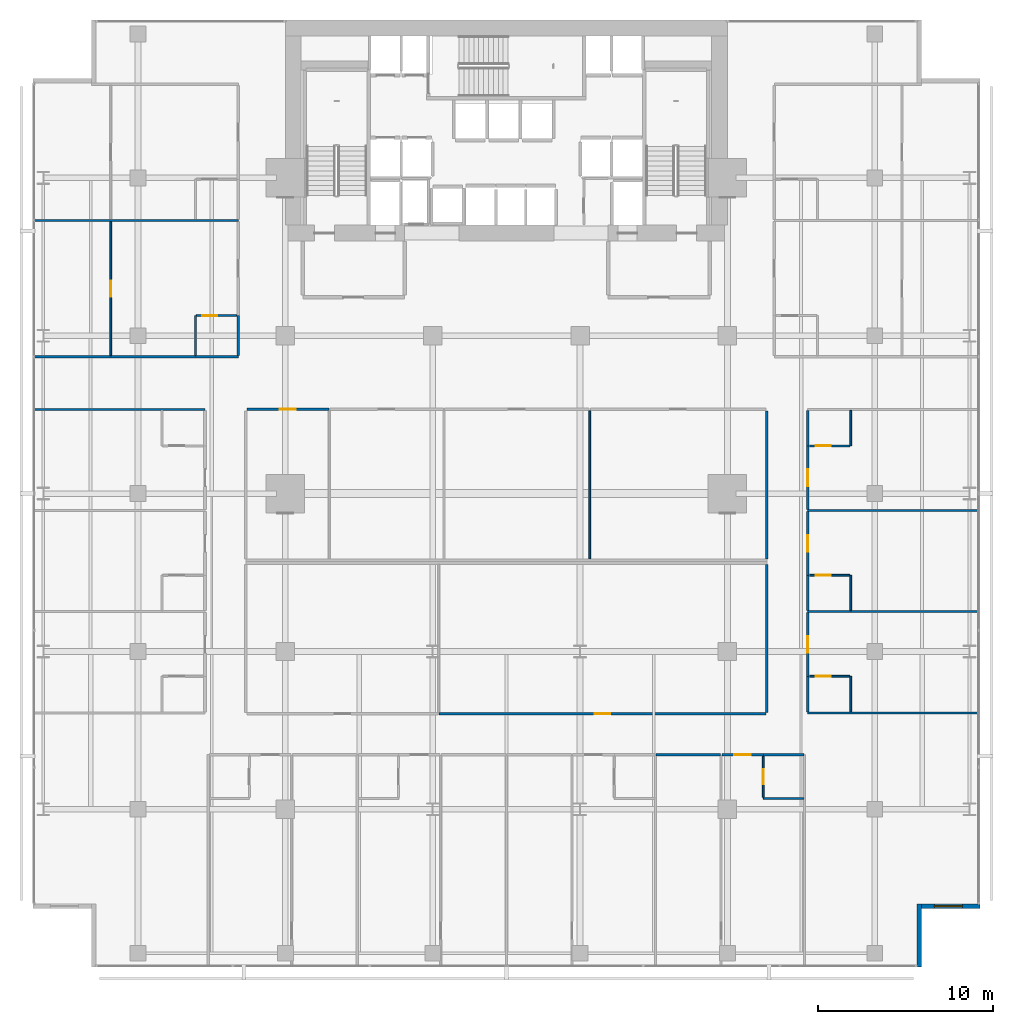
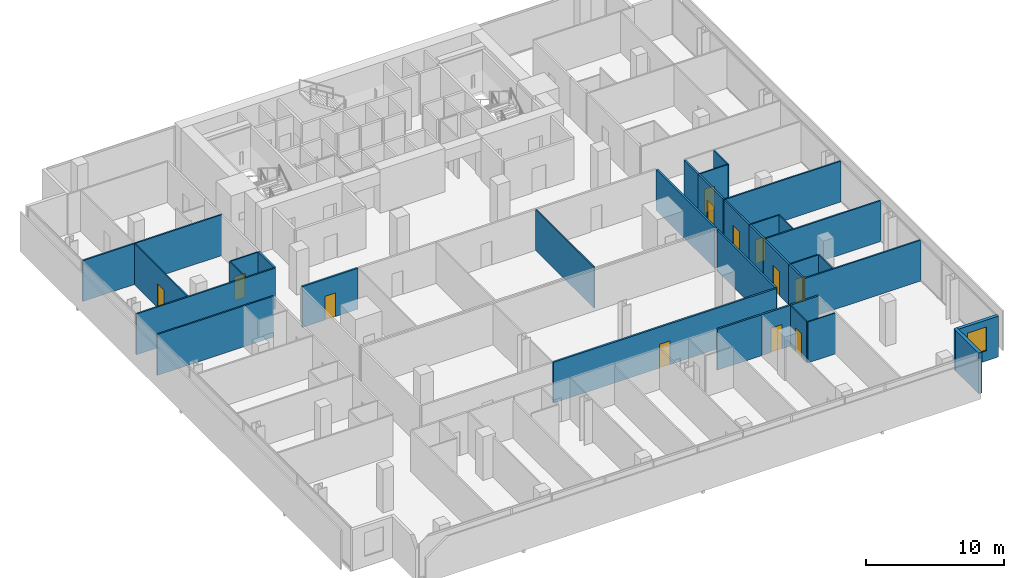
# One storey, part 34 of 40: 34 walls, 12 doors, 1 window, 13 openings.
"""IFC4 building model written with IfcOpenShell, lengths in metres."""

from ifc_helpers import new_model, si_unit, direction, frame, frame_2d, origin, place, context, subcontext, project, spatial, rectangle, extrude, material, layer, layer_set, type_object, element, fill, save


model = new_model("IFC4")

# Units and contexts
model_context = context("Model", 3, precision=1e-05, world=origin(), true_north=direction((0.0, 1.0)))
body_context = subcontext(model_context, "Body", "Model", "MODEL_VIEW")
ifc_project = project(units=[si_unit("LENGTHUNIT", "METRE"), si_unit("AREAUNIT", "SQUARE_METRE"), si_unit("VOLUMEUNIT", "CUBIC_METRE"), si_unit("PLANEANGLEUNIT", "RADIAN"), si_unit("MASSUNIT", "GRAM", prefix="KILO")], contexts=[model_context])

# Site, building, storey
site_placement = place(None, origin())
site = spatial("IfcSite", under=ifc_project, at=site_placement, CompositionType="ELEMENT")
building_placement = place(site_placement, origin())
building = spatial("IfcBuilding", under=site, at=building_placement, Name="Maruvema Waterfront Hotel and Observation Tower", CompositionType="ELEMENT")
storey_placement = place(building_placement, frame((0.0, 0.0, 92.39990234375)))
storey = spatial("IfcBuildingStorey", under=building, at=storey_placement, Name="L22", CompositionType="ELEMENT", Elevation=92.39990234375)

# Wall
ifc_material_1 = material(Name="Twin-stud acoustic gypsum drywall", Category="gypsum")
ifc_layer_1 = layer(ifc_material_1, 0.14990234375, Name="Acoustic Corridor and Suite Demising Wall 150 mm")
ifc_layer_set_1 = layer_set([ifc_layer_1], Name="Twin-stud acoustic gypsum drywall")
wall_type_1 = type_object("IfcWallType", Name="Acoustic Corridor and Suite Demising Wall 150 mm", PredefinedType="PARTITIONING", material=ifc_layer_set_1)
wall_1_placement = place(storey_placement, frame((52.64990234375, 23.280029296875, 0.0), z_axis=(0.0, 0.0, 1.0), x_axis=(0.0, 1.0, 0.0)))
element("IfcWall", 1, at=wall_1_placement, inside=storey, type_object=wall_type_1, Name="L22 L22-INTN East Wall 014", PredefinedType="PARTITIONING", context=body_context, shape_type="SweptSolid", body=[
    extrude(rectangle(XDim=8.43994140625, YDim=0.14990234375, at=frame_2d((4.219970703125, 0.0))), origin(), (0.0, 0.0, 1.0), 3.610107421875),
])

# Wall, opening, door
wall_2_placement = place(storey_placement, frame((23.010009765625, 31.800048828125, 0.0), z_axis=(0.0, 0.0, 1.0), x_axis=(1.0, 0.0, 0.0)))
wall_2 = element("IfcWall", 2, at=wall_2_placement, inside=storey, type_object=wall_type_1, Name="L22 L22-INTN Front 1 015", PredefinedType="PARTITIONING", context=body_context, shape_type="SweptSolid", body=[
    extrude(rectangle(XDim=4.662109375, YDim=0.14990234375, at=frame_2d((2.3310546875, 0.0))), origin(), (0.0, 0.0, 1.0), 3.610107421875),
])
opening_1_placement = place(wall_2_placement, frame((1.881103515625, 0.0, 0.0)))
opening_1 = element("IfcOpeningElement", 3, at=opening_1_placement, cuts=wall_2, Name="Opening DR-090", PredefinedType="OPENING", context=body_context, shape_type="SweptSolid", body=[
    extrude(rectangle(XDim=0.89990234375, YDim=2.10009765625, at=frame_2d((0.449951171875, 1.050048828125))), frame((0.0, 0.0849609375, 0.0), z_axis=(0.0, -1.0, 0.0), x_axis=(1.0, 0.0, 0.0)), (0.0, 0.0, 1.0), 0.169921875),
])
ifc_material_2 = material(Name="Solid-core lacquered timber leaf", Category="wood")
door_type_1 = type_object("IfcDoorType", Name="Accessible Toilet and Room Door 900x2100 mm", OperationType="NOTDEFINED", PredefinedType="DOOR", material=ifc_material_2)
door_1_placement = place(opening_1_placement, origin())
door_1 = element("IfcDoor", 4, at=door_1_placement, inside=storey, type_object=door_type_1, Name="L22 Art Gallery Lounge 1 Door", OperationType="SINGLE_SWING_LEFT", OverallHeight=2.10009765625, OverallWidth=0.89990234375, PredefinedType="DOOR", context=body_context, shape_type="SweptSolid", body=[
    extrude(rectangle(XDim=0.89990234375, YDim=2.10009765625, at=frame_2d((0.449951171875, 1.050048828125))), frame((0.0, 0.02490234375, 0.0), z_axis=(0.0, -1.0, 0.0), x_axis=(1.0, 0.0, 0.0)), (0.0, 0.0, 1.0), 0.050048828125),
])
fill(opening_1, door_1)

# Wall
wall_3_placement = place(storey_placement, frame((52.64990234375, 14.530029296875, 0.0), z_axis=(0.0, 0.0, 1.0), x_axis=(0.0, 1.0, 0.0)))
element("IfcWall", 5, at=wall_3_placement, inside=storey, type_object=wall_type_1, Name="L22 L22-INTS East Wall 024", PredefinedType="PARTITIONING", context=body_context, shape_type="SweptSolid", body=[
    extrude(rectangle(XDim=8.429931640625, YDim=0.14990234375, at=frame_2d((4.21484375, 0.0))), origin(), (0.0, 0.0, 1.0), 3.610107421875),
])

# Wall, opening, door
wall_4_placement = place(storey_placement, frame((33.968994140625, 14.449951171875, 0.0), z_axis=(0.0, 0.0, 1.0), x_axis=(1.0, 0.0, 0.0)))
wall_4 = element("IfcWall", 6, at=wall_4_placement, inside=storey, type_object=wall_type_1, Name="L22 L22-INTS Front 2 027", PredefinedType="PARTITIONING", context=body_context, shape_type="SweptSolid", body=[
    extrude(rectangle(XDim=18.62109375, YDim=0.14990234375, at=frame_2d((9.310546875, 0.0))), origin(), (0.0, 0.0, 1.0), 3.610107421875),
])
opening_2_placement = place(wall_4_placement, frame((8.860595703125, 0.0, 0.0)))
opening_2 = element("IfcOpeningElement", 7, at=opening_2_placement, cuts=wall_4, Name="Opening DR-090", PredefinedType="OPENING", context=body_context, shape_type="SweptSolid", body=[
    extrude(rectangle(XDim=0.89990234375, YDim=2.10009765625, at=frame_2d((0.449951171875, 1.050048828125))), frame((0.0, 0.0849609375, 0.0), z_axis=(0.0, -1.0, 0.0), x_axis=(1.0, 0.0, 0.0)), (0.0, 0.0, 1.0), 0.169921875),
])
door_2_placement = place(opening_2_placement, frame((0.89990234375, 0.0, 0.0), z_axis=(0.0, 0.0, 1.0), x_axis=(-1.0, 0.0, 0.0)))
door_2 = element("IfcDoor", 8, at=door_2_placement, inside=storey, type_object=door_type_1, Name="L22 Housekeeping Linen Room Door", OperationType="SINGLE_SWING_RIGHT", OverallHeight=2.10009765625, OverallWidth=0.89990234375, PredefinedType="DOOR", context=body_context, shape_type="SweptSolid", body=[
    extrude(rectangle(XDim=0.89990234375, YDim=2.10009765625, at=frame_2d((0.449951171875, 1.050048828125))), frame((0.0, 0.02490234375, 0.0), z_axis=(0.0, -1.0, 0.0), x_axis=(1.0, 0.0, 0.0)), (0.0, 0.0, 1.0), 0.050048828125),
])
fill(opening_2, door_2)

# Walls
wall_5_placement = place(storey_placement, frame((52.449951171875, 12.1201171875, 0.0), z_axis=(0.0, 0.0, 1.0), x_axis=(1.0, 0.0, 0.0)))
element("IfcWall", 9, at=wall_5_placement, inside=storey, type_object=wall_type_1, Name="L22 Bath L22-S4 Back Wall 051", PredefinedType="PARTITIONING", context=body_context, shape_type="SweptSolid", body=[
    extrude(rectangle(XDim=2.330078125, YDim=0.14990234375, at=frame_2d((1.1650390625, 0.0))), origin(), (0.0, 0.0, 1.0), 3.610107421875),
])
wall_6_placement = place(storey_placement, frame((46.320068359375, 12.1201171875, 0.0), z_axis=(0.0, 0.0, 1.0), x_axis=(1.0, 0.0, 0.0)))
element("IfcWall", 10, at=wall_6_placement, inside=storey, type_object=wall_type_1, Name="L22 Bedroom L22-S4 Back Wall 054", PredefinedType="PARTITIONING", context=body_context, shape_type="SweptSolid", body=[
    extrude(rectangle(XDim=3.679931640625, YDim=0.14990234375, at=frame_2d((1.83984375, 0.0))), origin(), (0.0, 0.0, 1.0), 3.610107421875),
])

# Wall, opening, door
wall_7_placement = place(storey_placement, frame((50.080078125, 12.1201171875, 0.0), z_axis=(0.0, 0.0, 1.0), x_axis=(1.0, 0.0, 0.0)))
wall_7 = element("IfcWall", 11, at=wall_7_placement, inside=storey, type_object=wall_type_1, Name="L22 Unit L22-S4 Corridor Wall 055", PredefinedType="PARTITIONING", context=body_context, shape_type="SweptSolid", body=[
    extrude(rectangle(XDim=2.369873046875, YDim=0.14990234375, at=frame_2d((1.18505859375, 0.0))), origin(), (0.0, 0.0, 1.0), 3.610107421875),
])
opening_3_placement = place(wall_7_placement, frame((0.7099609375, 0.0, 0.0)))
opening_3 = element("IfcOpeningElement", 12, at=opening_3_placement, cuts=wall_7, Name="Opening DR-095", PredefinedType="OPENING", context=body_context, shape_type="SweptSolid", body=[
    extrude(rectangle(XDim=0.949951171875, YDim=2.14990234375, at=frame_2d((0.47509765625, 1.074951171875))), frame((0.0, 0.0849609375, 0.0), z_axis=(0.0, -1.0, 0.0), x_axis=(1.0, 0.0, 0.0)), (0.0, 0.0, 1.0), 0.169921875),
])
ifc_material_3 = material(Name="Acoustic solid-core hardwood timber leaf", Category="wood")
door_type_2 = type_object("IfcDoorType", Name="Guestroom Entrance Fire Door 950x2150 mm", OperationType="NOTDEFINED", PredefinedType="DOOR", material=ifc_material_3)
door_3_placement = place(opening_3_placement, frame((0.949951171875, 0.0, 0.0), z_axis=(0.0, 0.0, 1.0), x_axis=(-1.0, 0.0, 0.0)))
door_3 = element("IfcDoor", 13, at=door_3_placement, inside=storey, type_object=door_type_2, Name="L22 Unit L22-S4 Entrance Door", OperationType="SINGLE_SWING_LEFT", OverallHeight=2.14990234375, OverallWidth=0.949951171875, PredefinedType="DOOR", context=body_context, shape_type="SweptSolid", body=[
    extrude(rectangle(XDim=0.949951171875, YDim=2.14990234375, at=frame_2d((0.47509765625, 1.074951171875))), frame((0.0, 0.02490234375, 0.0), z_axis=(0.0, -1.0, 0.0), x_axis=(1.0, 0.0, 0.0)), (0.0, 0.0, 1.0), 0.050048828125),
])
fill(opening_3, door_3)

# Wall
wall_8_placement = place(storey_placement, frame((54.97998046875, 14.56005859375, 0.0), z_axis=(0.0, 0.0, 1.0), x_axis=(0.0, 1.0, 0.0)))
element("IfcWall", 14, at=wall_8_placement, inside=storey, type_object=wall_type_1, Name="L22 Bath L22-E1 Wall 065", PredefinedType="PARTITIONING", context=body_context, shape_type="SweptSolid", body=[
    extrude(rectangle(XDim=2.02001953125, YDim=0.14990234375, at=frame_2d((1.010009765625, 0.0))), origin(), (0.0, 0.0, 1.0), 3.610107421875),
])

# Wall, opening, door
wall_9_placement = place(storey_placement, frame((54.97998046875, 16.580078125, 0.0), z_axis=(0.0, 0.0, 1.0), x_axis=(0.0, 1.0, 0.0)))
wall_9 = element("IfcWall", 15, at=wall_9_placement, inside=storey, type_object=wall_type_1, Name="L22 Room L22-E1 Corridor Wall 066", PredefinedType="PARTITIONING", context=body_context, shape_type="SweptSolid", body=[
    extrude(rectangle(XDim=3.6298828125, YDim=0.14990234375, at=frame_2d((1.81494140625, 0.0))), origin(), (0.0, 0.0, 1.0), 3.610107421875),
])
opening_4_placement = place(wall_9_placement, frame((1.340087890625, 0.0, 0.0)))
opening_4 = element("IfcOpeningElement", 16, at=opening_4_placement, cuts=wall_9, Name="Opening DR-095", PredefinedType="OPENING", context=body_context, shape_type="SweptSolid", body=[
    extrude(rectangle(XDim=0.949951171875, YDim=2.14990234375, at=frame_2d((0.47509765625, 1.074951171875))), frame((0.0, 0.0849609375, 0.0), z_axis=(0.0, -1.0, 0.0), x_axis=(1.0, 0.0, 0.0)), (0.0, 0.0, 1.0), 0.169921875),
])
door_4_placement = place(opening_4_placement, frame((0.949951171875, 0.0, 0.0), z_axis=(0.0, 0.0, 1.0), x_axis=(-1.0, 0.0, 0.0)))
door_4 = element("IfcDoor", 17, at=door_4_placement, inside=storey, type_object=door_type_2, Name="L22 Room L22-E1 Entrance Door", OperationType="SINGLE_SWING_RIGHT", OverallHeight=2.14990234375, OverallWidth=0.949951171875, PredefinedType="DOOR", context=body_context, shape_type="SweptSolid", body=[
    extrude(rectangle(XDim=0.949951171875, YDim=2.14990234375, at=frame_2d((0.47509765625, 1.074951171875))), frame((0.0, 0.02490234375, 0.0), z_axis=(0.0, -1.0, 0.0), x_axis=(1.0, 0.0, 0.0)), (0.0, 0.0, 1.0), 0.050048828125),
])
fill(opening_4, door_4)

# Wall
wall_10_placement = place(storey_placement, frame((54.97998046875, 20.330078125, 0.0), z_axis=(0.0, 0.0, 1.0), x_axis=(0.0, 1.0, 0.0)))
element("IfcWall", 18, at=wall_10_placement, inside=storey, type_object=wall_type_1, Name="L22 Bath L22-E2 Wall 075", PredefinedType="PARTITIONING", context=body_context, shape_type="SweptSolid", body=[
    extrude(rectangle(XDim=2.010009765625, YDim=0.14990234375, at=frame_2d((1.0048828125, 0.0))), origin(), (0.0, 0.0, 1.0), 3.610107421875),
])

# Wall, opening, door
wall_11_placement = place(storey_placement, frame((54.97998046875, 22.340087890625, 0.0), z_axis=(0.0, 0.0, 1.0), x_axis=(0.0, 1.0, 0.0)))
wall_11 = element("IfcWall", 19, at=wall_11_placement, inside=storey, type_object=wall_type_1, Name="L22 Room L22-E2 Corridor Wall 076", PredefinedType="PARTITIONING", context=body_context, shape_type="SweptSolid", body=[
    extrude(rectangle(XDim=3.6298828125, YDim=0.14990234375, at=frame_2d((1.81494140625, 0.0))), origin(), (0.0, 0.0, 1.0), 3.610107421875),
])
opening_5_placement = place(wall_11_placement, frame((1.340087890625, 0.0, 0.0)))
opening_5 = element("IfcOpeningElement", 20, at=opening_5_placement, cuts=wall_11, Name="Opening DR-095", PredefinedType="OPENING", context=body_context, shape_type="SweptSolid", body=[
    extrude(rectangle(XDim=0.949951171875, YDim=2.14990234375, at=frame_2d((0.47509765625, 1.074951171875))), frame((0.0, 0.0849609375, 0.0), z_axis=(0.0, -1.0, 0.0), x_axis=(1.0, 0.0, 0.0)), (0.0, 0.0, 1.0), 0.169921875),
])
door_5_placement = place(opening_5_placement, frame((0.949951171875, 0.0, 0.0), z_axis=(0.0, 0.0, 1.0), x_axis=(-1.0, 0.0, 0.0)))
door_5 = element("IfcDoor", 21, at=door_5_placement, inside=storey, type_object=door_type_2, Name="L22 Room L22-E2 Entrance Door", OperationType="SINGLE_SWING_RIGHT", OverallHeight=2.14990234375, OverallWidth=0.949951171875, PredefinedType="DOOR", context=body_context, shape_type="SweptSolid", body=[
    extrude(rectangle(XDim=0.949951171875, YDim=2.14990234375, at=frame_2d((0.47509765625, 1.074951171875))), frame((0.0, 0.02490234375, 0.0), z_axis=(0.0, -1.0, 0.0), x_axis=(1.0, 0.0, 0.0)), (0.0, 0.0, 1.0), 0.050048828125),
])
fill(opening_5, door_5)

wall_12_placement = place(storey_placement, frame((54.97998046875, 26.090087890625, 0.0), z_axis=(0.0, 0.0, 1.0), x_axis=(0.0, 1.0, 0.0)))
wall_12 = element("IfcWall", 22, at=wall_12_placement, inside=storey, type_object=wall_type_1, Name="L22 Room L22-E3 Corridor Wall 085", PredefinedType="PARTITIONING", context=body_context, shape_type="SweptSolid", body=[
    extrude(rectangle(XDim=3.6298828125, YDim=0.14990234375, at=frame_2d((1.81494140625, 0.0))), origin(), (0.0, 0.0, 1.0), 3.610107421875),
])
opening_6_placement = place(wall_12_placement, frame((1.340087890625, 0.0, 0.0)))
opening_6 = element("IfcOpeningElement", 23, at=opening_6_placement, cuts=wall_12, Name="Opening DR-095", PredefinedType="OPENING", context=body_context, shape_type="SweptSolid", body=[
    extrude(rectangle(XDim=0.949951171875, YDim=2.14990234375, at=frame_2d((0.47509765625, 1.074951171875))), frame((0.0, 0.0849609375, 0.0), z_axis=(0.0, -1.0, 0.0), x_axis=(1.0, 0.0, 0.0)), (0.0, 0.0, 1.0), 0.169921875),
])
door_6_placement = place(opening_6_placement, frame((0.949951171875, 0.0, 0.0), z_axis=(0.0, 0.0, 1.0), x_axis=(-1.0, 0.0, 0.0)))
door_6 = element("IfcDoor", 24, at=door_6_placement, inside=storey, type_object=door_type_2, Name="L22 Room L22-E3 Entrance Door", OperationType="SINGLE_SWING_RIGHT", OverallHeight=2.14990234375, OverallWidth=0.949951171875, PredefinedType="DOOR", context=body_context, shape_type="SweptSolid", body=[
    extrude(rectangle(XDim=0.949951171875, YDim=2.14990234375, at=frame_2d((0.47509765625, 1.074951171875))), frame((0.0, 0.02490234375, 0.0), z_axis=(0.0, -1.0, 0.0), x_axis=(1.0, 0.0, 0.0)), (0.0, 0.0, 1.0), 0.050048828125),
])
fill(opening_6, door_6)

# Walls
wall_13_placement = place(storey_placement, frame((54.97998046875, 29.719970703125, 0.0), z_axis=(0.0, 0.0, 1.0), x_axis=(0.0, 1.0, 0.0)))
element("IfcWall", 25, at=wall_13_placement, inside=storey, type_object=wall_type_1, Name="L22 Bath L22-E3 Wall 086", PredefinedType="PARTITIONING", context=body_context, shape_type="SweptSolid", body=[
    extrude(rectangle(XDim=2.02001953125, YDim=0.14990234375, at=frame_2d((1.010009765625, 0.0))), origin(), (0.0, 0.0, 1.0), 3.610107421875),
])
wall_14_placement = place(storey_placement, frame((22.52001953125, 34.860107421875, 0.0), z_axis=(0.0, 0.0, 1.0), x_axis=(0.0, 1.0, 0.0)))
element("IfcWall", 26, at=wall_14_placement, inside=storey, type_object=wall_type_1, Name="L22 Bath L22-NW1 Wall 093", PredefinedType="PARTITIONING", context=body_context, shape_type="SweptSolid", body=[
    extrude(rectangle(XDim=2.289794921875, YDim=0.14990234375, at=frame_2d((1.14501953125, 0.0))), origin(), (0.0, 0.0, 1.0), 3.610107421875),
])
ifc_material_4 = material(Name="Moisture-resistant cement-board drywall", Category="gypsum")
ifc_layer_2 = layer(ifc_material_4, 0.10009765625, Name="En-Suite Moisture-Resistant Partition 100 mm")
ifc_layer_set_2 = layer_set([ifc_layer_2], Name="Moisture-resistant cement-board drywall")
wall_type_2 = type_object("IfcWallType", Name="En-Suite Moisture-Resistant Partition 100 mm", PredefinedType="PARTITIONING", material=ifc_layer_set_2)
wall_15_placement = place(storey_placement, frame((42.552001953125, 23.280029296875, 0.0), z_axis=(0.0, 0.0, 1.0), x_axis=(0.0, 1.0, 0.0)))
element("IfcWall", 27, at=wall_15_placement, inside=storey, type_object=wall_type_2, Name="L22 L22-INTN Split 3 020", PredefinedType="PARTITIONING", context=body_context, shape_type="SweptSolid", body=[
    extrude(rectangle(XDim=8.43994140625, YDim=0.10009765625, at=frame_2d((4.219970703125, 0.0))), origin(), (0.0, 0.0, 1.0), 3.610107421875),
])
wall_16_placement = place(storey_placement, frame((52.449951171875, 9.6201171875, 0.0), z_axis=(0.0, 0.0, 1.0), x_axis=(1.0, 0.0, 0.0)))
element("IfcWall", 28, at=wall_16_placement, inside=storey, type_object=wall_type_2, Name="L22 En-Suite L22-S4 South 052", PredefinedType="PARTITIONING", context=body_context, shape_type="SweptSolid", body=[
    extrude(rectangle(XDim=2.31005859375, YDim=0.10009765625, at=frame_2d((1.155029296875, 0.0))), origin(), (0.0, 0.0, 1.0), 3.610107421875),
])

# Wall, opening, door
wall_17_placement = place(storey_placement, frame((52.449951171875, 9.679931640625, 0.0), z_axis=(0.0, 0.0, 1.0), x_axis=(0.0, 1.0, 0.0)))
wall_17 = element("IfcWall", 29, at=wall_17_placement, inside=storey, type_object=wall_type_2, Name="L22 En-Suite L22-S4 West 053", PredefinedType="PARTITIONING", context=body_context, shape_type="SweptSolid", body=[
    extrude(rectangle(XDim=2.340087890625, YDim=0.10009765625, at=frame_2d((1.169921875, 0.0))), origin(), (0.0, 0.0, 1.0), 3.610107421875),
])
opening_7_placement = place(wall_17_placement, frame((0.7451171875, 0.0, 0.0)))
opening_7 = element("IfcOpeningElement", 30, at=opening_7_placement, cuts=wall_17, Name="Opening DR-085", PredefinedType="OPENING", context=body_context, shape_type="SweptSolid", body=[
    extrude(rectangle(XDim=0.85009765625, YDim=2.10009765625, at=frame_2d((0.425048828125, 1.050048828125))), frame((0.0, 0.06005859375, 0.0), z_axis=(0.0, -1.0, 0.0), x_axis=(1.0, 0.0, 0.0)), (0.0, 0.0, 1.0), 0.1201171875),
])
ifc_material_5 = material(Name="Moisture-resistant solid timber leaf", Category="wood")
door_type_3 = type_object("IfcDoorType", Name="En-Suite Bathroom Door 850x2100 mm", OperationType="NOTDEFINED", PredefinedType="DOOR", material=ifc_material_5)
door_7_placement = place(opening_7_placement, origin())
door_7 = element("IfcDoor", 31, at=door_7_placement, inside=storey, type_object=door_type_3, Name="L22 En-Suite L22-S4 Door", OperationType="SINGLE_SWING_RIGHT", OverallHeight=2.10009765625, OverallWidth=0.85009765625, PredefinedType="DOOR", context=body_context, shape_type="SweptSolid", body=[
    extrude(rectangle(XDim=0.85009765625, YDim=2.10009765625, at=frame_2d((0.425048828125, 1.050048828125))), frame((0.0, 0.02490234375, 0.0), z_axis=(0.0, -1.0, 0.0), x_axis=(1.0, 0.0, 0.0)), (0.0, 0.0, 1.0), 0.050048828125),
])
fill(opening_7, door_7)

# Wall
wall_18_placement = place(storey_placement, frame((57.429931640625, 14.56005859375, 0.0), z_axis=(0.0, 0.0, 1.0), x_axis=(0.0, 1.0, 0.0)))
element("IfcWall", 32, at=wall_18_placement, inside=storey, type_object=wall_type_2, Name="L22 En-Suite L22-E1 E 067", PredefinedType="PARTITIONING", context=body_context, shape_type="SweptSolid", body=[
    extrude(rectangle(XDim=2.02001953125, YDim=0.10009765625, at=frame_2d((1.010009765625, 0.0))), origin(), (0.0, 0.0, 1.0), 3.610107421875),
])

# Wall, opening, door
wall_19_placement = place(storey_placement, frame((55.080078125, 16.580078125, 0.0), z_axis=(0.0, 0.0, 1.0), x_axis=(1.0, 0.0, 0.0)))
wall_19 = element("IfcWall", 33, at=wall_19_placement, inside=storey, type_object=wall_type_2, Name="L22 En-Suite L22-E1 N 068", PredefinedType="PARTITIONING", context=body_context, shape_type="SweptSolid", body=[
    extrude(rectangle(XDim=2.2998046875, YDim=0.10009765625, at=frame_2d((1.14990234375, 0.0))), origin(), (0.0, 0.0, 1.0), 3.610107421875),
])
opening_8_placement = place(wall_19_placement, frame((0.35009765625, 0.0, 0.0)))
opening_8 = element("IfcOpeningElement", 34, at=opening_8_placement, cuts=wall_19, Name="Opening DR-085", PredefinedType="OPENING", context=body_context, shape_type="SweptSolid", body=[
    extrude(rectangle(XDim=0.85009765625, YDim=2.10009765625, at=frame_2d((0.425048828125, 1.050048828125))), frame((0.0, 0.06005859375, 0.0), z_axis=(0.0, -1.0, 0.0), x_axis=(1.0, 0.0, 0.0)), (0.0, 0.0, 1.0), 0.1201171875),
])
door_8_placement = place(opening_8_placement, origin())
door_8 = element("IfcDoor", 35, at=door_8_placement, inside=storey, type_object=door_type_3, Name="L22 En-Suite L22-E1 Door", OperationType="SINGLE_SWING_LEFT", OverallHeight=2.10009765625, OverallWidth=0.85009765625, PredefinedType="DOOR", context=body_context, shape_type="SweptSolid", body=[
    extrude(rectangle(XDim=0.85009765625, YDim=2.10009765625, at=frame_2d((0.425048828125, 1.050048828125))), frame((0.0, 0.02490234375, 0.0), z_axis=(0.0, -1.0, 0.0), x_axis=(1.0, 0.0, 0.0)), (0.0, 0.0, 1.0), 0.050048828125),
])
fill(opening_8, door_8)

# Wall
wall_20_placement = place(storey_placement, frame((57.429931640625, 20.330078125, 0.0), z_axis=(0.0, 0.0, 1.0), x_axis=(0.0, 1.0, 0.0)))
element("IfcWall", 36, at=wall_20_placement, inside=storey, type_object=wall_type_2, Name="L22 En-Suite L22-E2 E 077", PredefinedType="PARTITIONING", context=body_context, shape_type="SweptSolid", body=[
    extrude(rectangle(XDim=2.010009765625, YDim=0.10009765625, at=frame_2d((1.0048828125, 0.0))), origin(), (0.0, 0.0, 1.0), 3.610107421875),
])

# Wall, opening, door
wall_21_placement = place(storey_placement, frame((55.080078125, 22.340087890625, 0.0), z_axis=(0.0, 0.0, 1.0), x_axis=(1.0, 0.0, 0.0)))
wall_21 = element("IfcWall", 37, at=wall_21_placement, inside=storey, type_object=wall_type_2, Name="L22 En-Suite L22-E2 N 078", PredefinedType="PARTITIONING", context=body_context, shape_type="SweptSolid", body=[
    extrude(rectangle(XDim=2.2998046875, YDim=0.10009765625, at=frame_2d((1.14990234375, 0.0))), origin(), (0.0, 0.0, 1.0), 3.610107421875),
])
opening_9_placement = place(wall_21_placement, frame((0.35009765625, 0.0, 0.0)))
opening_9 = element("IfcOpeningElement", 38, at=opening_9_placement, cuts=wall_21, Name="Opening DR-085", PredefinedType="OPENING", context=body_context, shape_type="SweptSolid", body=[
    extrude(rectangle(XDim=0.85009765625, YDim=2.10009765625, at=frame_2d((0.425048828125, 1.050048828125))), frame((0.0, 0.06005859375, 0.0), z_axis=(0.0, -1.0, 0.0), x_axis=(1.0, 0.0, 0.0)), (0.0, 0.0, 1.0), 0.1201171875),
])
door_9_placement = place(opening_9_placement, origin())
door_9 = element("IfcDoor", 39, at=door_9_placement, inside=storey, type_object=door_type_3, Name="L22 En-Suite L22-E2 Door", OperationType="SINGLE_SWING_LEFT", OverallHeight=2.10009765625, OverallWidth=0.85009765625, PredefinedType="DOOR", context=body_context, shape_type="SweptSolid", body=[
    extrude(rectangle(XDim=0.85009765625, YDim=2.10009765625, at=frame_2d((0.425048828125, 1.050048828125))), frame((0.0, 0.02490234375, 0.0), z_axis=(0.0, -1.0, 0.0), x_axis=(1.0, 0.0, 0.0)), (0.0, 0.0, 1.0), 0.050048828125),
])
fill(opening_9, door_9)

# Wall
wall_22_placement = place(storey_placement, frame((57.429931640625, 29.719970703125, 0.0), z_axis=(0.0, 0.0, 1.0), x_axis=(0.0, 1.0, 0.0)))
element("IfcWall", 40, at=wall_22_placement, inside=storey, type_object=wall_type_2, Name="L22 En-Suite L22-E3 E 087", PredefinedType="PARTITIONING", context=body_context, shape_type="SweptSolid", body=[
    extrude(rectangle(XDim=2.02001953125, YDim=0.10009765625, at=frame_2d((1.010009765625, 0.0))), origin(), (0.0, 0.0, 1.0), 3.610107421875),
])

# Wall, opening, door
wall_23_placement = place(storey_placement, frame((55.080078125, 29.719970703125, 0.0), z_axis=(0.0, 0.0, 1.0), x_axis=(1.0, 0.0, 0.0)))
wall_23 = element("IfcWall", 41, at=wall_23_placement, inside=storey, type_object=wall_type_2, Name="L22 En-Suite L22-E3 S 088", PredefinedType="PARTITIONING", context=body_context, shape_type="SweptSolid", body=[
    extrude(rectangle(XDim=2.2998046875, YDim=0.10009765625, at=frame_2d((1.14990234375, 0.0))), origin(), (0.0, 0.0, 1.0), 3.610107421875),
])
opening_10_placement = place(wall_23_placement, frame((0.35009765625, 0.0, 0.0)))
opening_10 = element("IfcOpeningElement", 42, at=opening_10_placement, cuts=wall_23, Name="Opening DR-085", PredefinedType="OPENING", context=body_context, shape_type="SweptSolid", body=[
    extrude(rectangle(XDim=0.85009765625, YDim=2.10009765625, at=frame_2d((0.425048828125, 1.050048828125))), frame((0.0, 0.06005859375, 0.0), z_axis=(0.0, -1.0, 0.0), x_axis=(1.0, 0.0, 0.0)), (0.0, 0.0, 1.0), 0.1201171875),
])
door_10_placement = place(opening_10_placement, frame((0.85009765625, 0.0, 0.0), z_axis=(0.0, 0.0, 1.0), x_axis=(-1.0, 0.0, 0.0)))
door_10 = element("IfcDoor", 43, at=door_10_placement, inside=storey, type_object=door_type_3, Name="L22 En-Suite L22-E3 Door", OperationType="SINGLE_SWING_LEFT", OverallHeight=2.10009765625, OverallWidth=0.85009765625, PredefinedType="DOOR", context=body_context, shape_type="SweptSolid", body=[
    extrude(rectangle(XDim=0.85009765625, YDim=2.10009765625, at=frame_2d((0.425048828125, 1.050048828125))), frame((0.0, 0.02490234375, 0.0), z_axis=(0.0, -1.0, 0.0), x_axis=(1.0, 0.0, 0.0)), (0.0, 0.0, 1.0), 0.050048828125),
])
fill(opening_10, door_10)

# Wall
wall_24_placement = place(storey_placement, frame((20.070068359375, 34.860107421875, 0.0), z_axis=(0.0, 0.0, 1.0), x_axis=(0.0, 1.0, 0.0)))
element("IfcWall", 44, at=wall_24_placement, inside=storey, type_object=wall_type_2, Name="L22 En-Suite L22-NW1 W 095", PredefinedType="PARTITIONING", context=body_context, shape_type="SweptSolid", body=[
    extrude(rectangle(XDim=2.289794921875, YDim=0.10009765625, at=frame_2d((1.14501953125, 0.0))), origin(), (0.0, 0.0, 1.0), 3.610107421875),
])

# Wall, opening, door
wall_25_placement = place(storey_placement, frame((20.1201171875, 37.14990234375, 0.0), z_axis=(0.0, 0.0, 1.0), x_axis=(1.0, 0.0, 0.0)))
wall_25 = element("IfcWall", 45, at=wall_25_placement, inside=storey, type_object=wall_type_2, Name="L22 En-Suite L22-NW1 N 096", PredefinedType="PARTITIONING", context=body_context, shape_type="SweptSolid", body=[
    extrude(rectangle(XDim=2.2998046875, YDim=0.10009765625, at=frame_2d((1.14990234375, 0.0))), origin(), (0.0, 0.0, 1.0), 3.610107421875),
])
opening_11_placement = place(wall_25_placement, frame((0.35009765625, 0.0, 0.0)))
opening_11 = element("IfcOpeningElement", 46, at=opening_11_placement, cuts=wall_25, Name="Opening DR-085", PredefinedType="OPENING", context=body_context, shape_type="SweptSolid", body=[
    extrude(rectangle(XDim=0.85009765625, YDim=2.10009765625, at=frame_2d((0.425048828125, 1.050048828125))), frame((0.0, 0.06005859375, 0.0), z_axis=(0.0, -1.0, 0.0), x_axis=(1.0, 0.0, 0.0)), (0.0, 0.0, 1.0), 0.1201171875),
])
door_11_placement = place(opening_11_placement, origin())
door_11 = element("IfcDoor", 47, at=door_11_placement, inside=storey, type_object=door_type_3, Name="L22 En-Suite L22-NW1 Door", OperationType="SINGLE_SWING_LEFT", OverallHeight=2.10009765625, OverallWidth=0.85009765625, PredefinedType="DOOR", context=body_context, shape_type="SweptSolid", body=[
    extrude(rectangle(XDim=0.85009765625, YDim=2.10009765625, at=frame_2d((0.425048828125, 1.050048828125))), frame((0.0, 0.02490234375, 0.0), z_axis=(0.0, -1.0, 0.0), x_axis=(1.0, 0.0, 0.0)), (0.0, 0.0, 1.0), 0.050048828125),
])
fill(opening_11, door_11)

wall_26_placement = place(storey_placement, frame((15.24951171875, 34.860107421875, 0.0), z_axis=(0.0, 0.0, 1.0), x_axis=(0.0, 1.0, 0.0)))
wall_26 = element("IfcWall", 48, at=wall_26_placement, inside=storey, type_object=wall_type_2, Name="L22 Suite L22-NW1 Split 097", PredefinedType="PARTITIONING", context=body_context, shape_type="SweptSolid", body=[
    extrude(rectangle(XDim=7.648681640625, YDim=0.10009765625, at=frame_2d((3.82421875, 0.0))), origin(), (0.0, 0.0, 1.0), 3.610107421875),
])
opening_12_placement = place(wall_26_placement, frame((3.374267578125, 0.0, 0.0)))
opening_12 = element("IfcOpeningElement", 49, at=opening_12_placement, cuts=wall_26, Name="Opening DR-090", PredefinedType="OPENING", context=body_context, shape_type="SweptSolid", body=[
    extrude(rectangle(XDim=0.89990234375, YDim=2.10009765625, at=frame_2d((0.449951171875, 1.050048828125))), frame((0.0, 0.06005859375, 0.0), z_axis=(0.0, -1.0, 0.0), x_axis=(1.0, 0.0, 0.0)), (0.0, 0.0, 1.0), 0.1201171875),
])
door_12_placement = place(opening_12_placement, origin())
door_12 = element("IfcDoor", 50, at=door_12_placement, inside=storey, type_object=door_type_1, Name="L22 Suite L22-NW1 Bedroom Door", OperationType="SINGLE_SWING_LEFT", OverallHeight=2.10009765625, OverallWidth=0.89990234375, PredefinedType="DOOR", context=body_context, shape_type="SweptSolid", body=[
    extrude(rectangle(XDim=0.89990234375, YDim=2.10009765625, at=frame_2d((0.449951171875, 1.050048828125))), frame((0.0, 0.02490234375, 0.0), z_axis=(0.0, -1.0, 0.0), x_axis=(1.0, 0.0, 0.0)), (0.0, 0.0, 1.0), 0.050048828125),
])
fill(opening_12, door_12)

# Wall
ifc_material_6 = material(Name="Precast concrete C45/55 with honed Pernambuco granite facing", Category="masonry")
ifc_layer_3 = layer(ifc_material_6, 0.260009765625, Name="Exterior Granite Clad Spandrel and Pier Wall 260 mm")
ifc_layer_set_3 = layer_set([ifc_layer_3], Name="Precast concrete C45/55 with honed Pernambuco granite facing")
wall_type_3 = type_object("IfcWallType", Name="Exterior Granite Clad Spandrel and Pier Wall 260 mm", PredefinedType="SOLIDWALL", material=ifc_layer_set_3)
wall_27_placement = place(storey_placement, frame((61.330078125, 3.60009765625, 0.0), z_axis=(0.0, 0.0, 1.0), x_axis=(0.0, -1.0, 0.0)))
element("IfcWall", 51, at=wall_27_placement, inside=storey, type_object=wall_type_3, Name="L22 Corner Notch Granite Pier Wall SE1", PredefinedType="SOLIDWALL", context=body_context, shape_type="SweptSolid", body=[
    extrude(rectangle(XDim=3.60009765625, YDim=0.260009765625, at=frame_2d((1.800048828125, 0.0))), origin(), (0.0, 0.0, 1.0), 3.610107421875),
])

# Wall, opening, window
wall_28_placement = place(storey_placement, frame((64.800048828125, 3.469970703125, 0.0), z_axis=(0.0, 0.0, 1.0), x_axis=(-1.0, 0.0, 0.0)))
wall_28 = element("IfcWall", 52, at=wall_28_placement, inside=storey, type_object=wall_type_3, Name="L22 Corner Notch Granite Pier Wall SE2", PredefinedType="SOLIDWALL", context=body_context, shape_type="SweptSolid", body=[
    extrude(rectangle(XDim=3.60009765625, YDim=0.260009765625, at=frame_2d((1.800048828125, 0.0))), origin(), (0.0, 0.0, 1.0), 3.610107421875),
])
opening_13_placement = place(wall_28_placement, frame((1.0, 0.0, 0.89990234375)))
opening_13 = element("IfcOpeningElement", 53, at=opening_13_placement, cuts=wall_28, Name="Opening WN-01", PredefinedType="OPENING", context=body_context, shape_type="SweptSolid", body=[
    extrude(rectangle(XDim=1.60009765625, YDim=2.10009765625, at=frame_2d((0.800048828125, 1.050048828125))), frame((0.0, 0.14013671875, 0.0), z_axis=(0.0, -1.0, 0.0), x_axis=(1.0, 0.0, 0.0)), (0.0, 0.0, 1.0), 0.280029296875),
])
ifc_material_7 = material(Name="Anodised bronze aluminium frame with laminated low-E glass", Category="aluminium")
window_type = type_object("IfcWindowType", Name="Corner Notch Feature Window 1600x2100 mm", PartitioningType="SINGLE_PANEL", PredefinedType="WINDOW", material=ifc_material_7)
window_placement = place(opening_13_placement, origin())
window = element("IfcWindow", 54, at=window_placement, inside=storey, type_object=window_type, Name="L22 Corner Notch Punched Window SE2", OverallHeight=2.10009765625, OverallWidth=1.60009765625, PartitioningType="SINGLE_PANEL", PredefinedType="WINDOW", context=body_context, shape_type="SweptSolid", body=[
    extrude(rectangle(XDim=1.60009765625, YDim=2.10009765625, at=frame_2d((0.800048828125, 1.050048828125))), frame((0.0, 0.030029296875, 0.0), z_axis=(0.0, -1.0, 0.0), x_axis=(1.0, 0.0, 0.0)), (0.0, 0.0, 1.0), 0.06005859375),
])
fill(opening_13, window)

# Walls
ifc_material_8 = material(Name="Acoustic gypsum plasterboard drywall", Category="gypsum")
ifc_layer_4 = layer(ifc_material_8, 0.125, Name="Guestroom Acoustic Demising Wall 125 mm")
ifc_layer_set_4 = layer_set([ifc_layer_4], Name="Acoustic gypsum plasterboard drywall")
wall_type_4 = type_object("IfcWallType", Name="Guestroom Acoustic Demising Wall 125 mm", PredefinedType="PARTITIONING", material=ifc_layer_set_4)
wall_29_placement = place(storey_placement, frame((54.97998046875, 14.5, 0.0), z_axis=(0.0, 0.0, 1.0), x_axis=(1.0, 0.0, 0.0)))
element("IfcWall", 55, at=wall_29_placement, inside=storey, type_object=wall_type_4, Name="L22 E Bot End 058", PredefinedType="PARTITIONING", context=body_context, shape_type="SweptSolid", body=[
    extrude(rectangle(XDim=9.719970703125, YDim=0.125, at=frame_2d((4.85986328125, 0.0))), origin(), (0.0, 0.0, 1.0), 3.610107421875),
])
wall_30_placement = place(storey_placement, frame((10.89990234375, 31.800048828125, 0.0), z_axis=(0.0, 0.0, 1.0), x_axis=(1.0, 0.0, 0.0)))
element("IfcWall", 56, at=wall_30_placement, inside=storey, type_object=wall_type_4, Name="L22 W Top End 059", PredefinedType="PARTITIONING", context=body_context, shape_type="SweptSolid", body=[
    extrude(rectangle(XDim=9.72021484375, YDim=0.125, at=frame_2d((4.860107421875, 0.0))), origin(), (0.0, 0.0, 1.0), 3.610107421875),
])
for number, where, z_axis, x_axis, name in (
    (57, (54.97998046875, 20.27001953125, 0.0), (0.0, 0.0, 1.0), (1.0, 0.0, 0.0), "L22 E Demising 2 070"),
    (58, (54.97998046875, 26.030029296875, 0.0), (0.0, 0.0, 1.0), (1.0, 0.0, 0.0), "L22 E Demising 3 080"),
):
    element("IfcWall", number, at=place(storey_placement, frame(where, z_axis=z_axis, x_axis=x_axis)), inside=storey, type_object=wall_type_4, Name=name, PredefinedType="PARTITIONING", context=body_context, shape_type="SweptSolid", body=[
        extrude(rectangle(XDim=9.719970703125, YDim=0.125, at=frame_2d((4.85986328125, 0.0))), origin(), (0.0, 0.0, 1.0), 3.610107421875),
    ])
for number, where, z_axis, x_axis, name in (
    (59, (10.89990234375, 34.800048828125, 0.0), (0.0, 0.0, 1.0), (1.0, 0.0, 0.0), "L22 NW Bot End 089"),
    (60, (10.89990234375, 42.568603515625, 0.0), (0.0, 0.0, 1.0), (1.0, 0.0, 0.0), "L22 NW Demising 2 103"),
):
    element("IfcWall", number, at=place(storey_placement, frame(where, z_axis=z_axis, x_axis=x_axis)), inside=storey, type_object=wall_type_4, Name=name, PredefinedType="PARTITIONING", context=body_context, shape_type="SweptSolid", body=[
        extrude(rectangle(XDim=11.6201171875, YDim=0.125, at=frame_2d((5.81005859375, 0.0))), origin(), (0.0, 0.0, 1.0), 3.610107421875),
    ])

save(model, "model.ifc")
